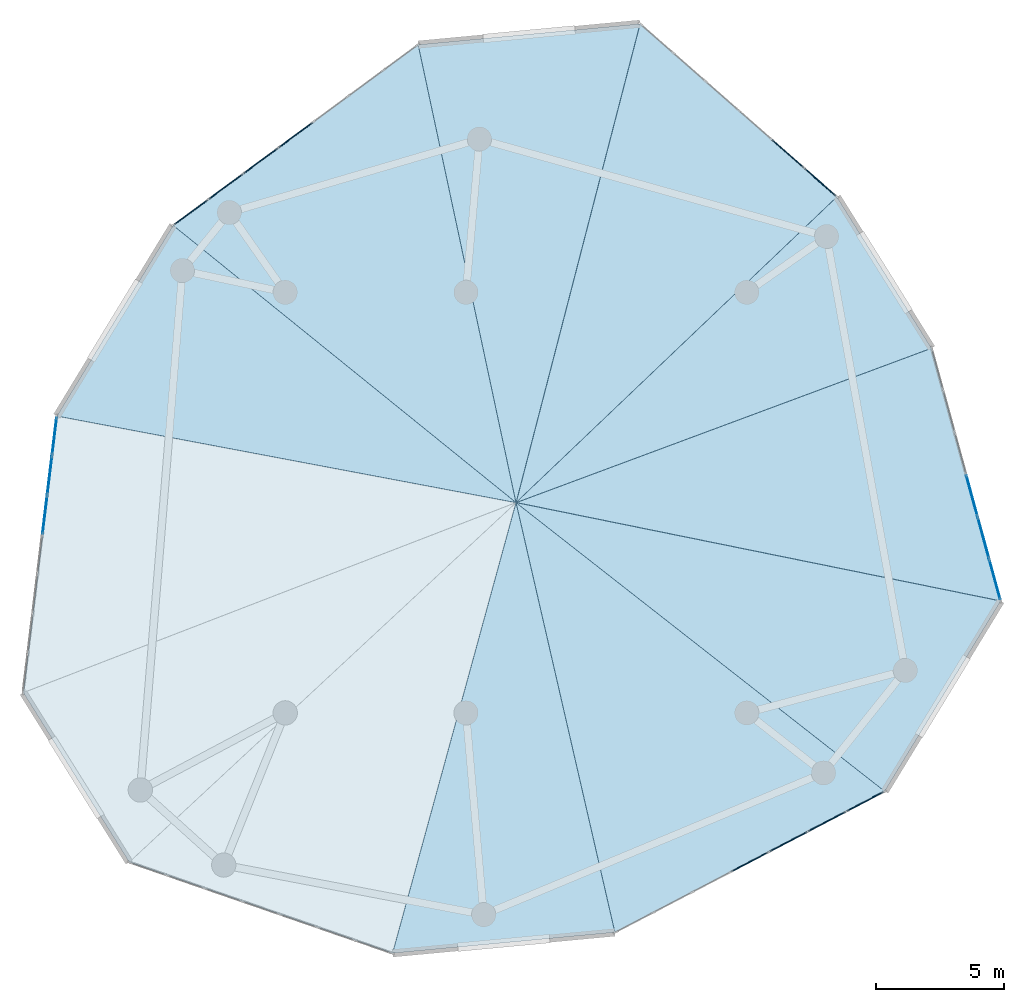
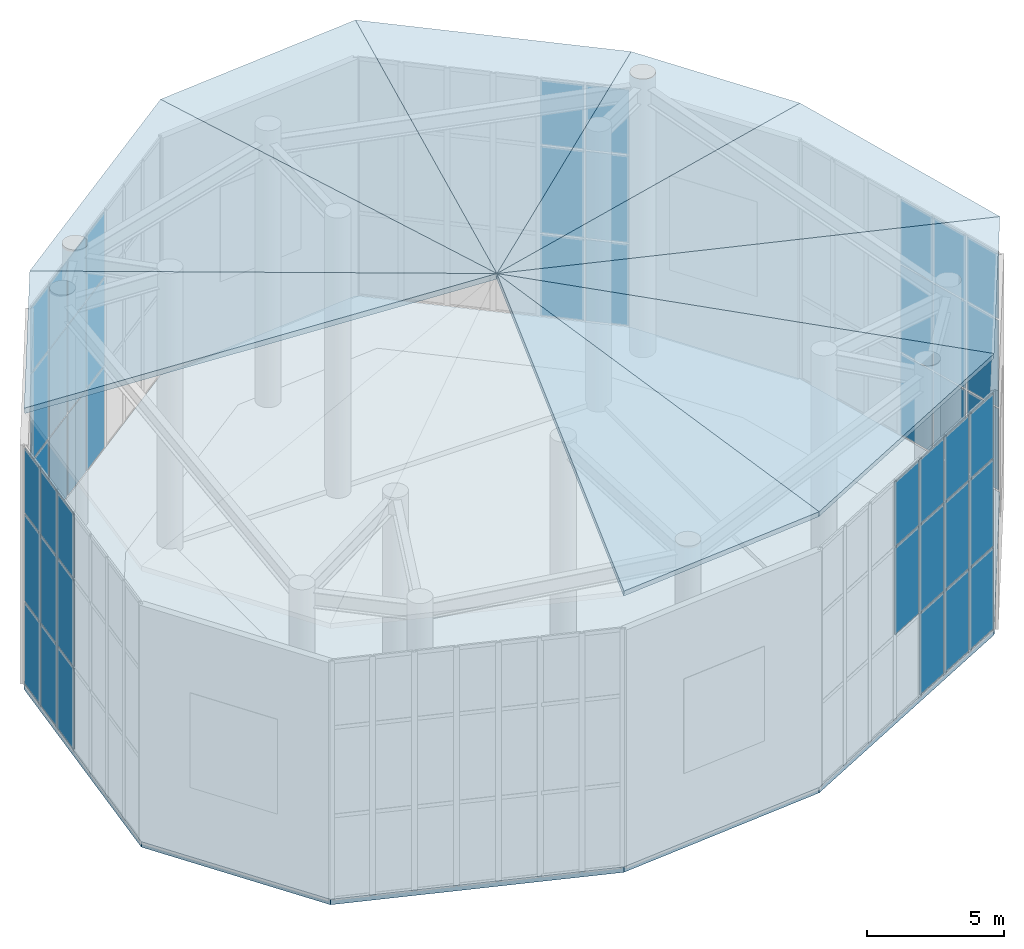
# One storey, part 6 of 8: 47 plates, 10 slabs, 5 elements without a shape of their own.
"""IFC4 building model written with IfcOpenShell, lengths in metres."""

from ifc_helpers import new_model, si_unit, direction, frame, origin, origin_with_axes, origin_2d, place, context, subcontext, project, spatial, polyline, rectangle, outline, extrude, source, transform, mapped, material, layer, layer_set, type_object, element, aggregate, save


model = new_model("IFC4")

# Units and contexts
model_context = context("Model", 3, precision=1e-05, world=origin(), true_north=direction((0.0, 1.0)))
body_context = subcontext(model_context, "Body", "Model", "MODEL_VIEW")
ifc_project = project(units=[si_unit("LENGTHUNIT", "METRE"), si_unit("AREAUNIT", "SQUARE_METRE"), si_unit("VOLUMEUNIT", "CUBIC_METRE"), si_unit("PLANEANGLEUNIT", "RADIAN"), si_unit("MASSUNIT", "GRAM", prefix="KILO")], contexts=[model_context])

# Site, building, storey
site_placement = place(None, origin())
site = spatial("IfcSite", under=ifc_project, at=site_placement, CompositionType="ELEMENT")
building_placement = place(site_placement, origin())
building = spatial("IfcBuilding", under=site, at=building_placement, Name="Karkom Vertical University and Central Library", CompositionType="ELEMENT")
storey_placement = place(building_placement, frame((0.0, 0.0, 290.0)))
storey = spatial("IfcBuildingStorey", under=building, at=storey_placement, Name="R82", CompositionType="ELEMENT", Elevation=290.0)

# Slabs
ifc_material_1 = material(Name="Concrete C45/55", Category="concrete")
ifc_layer_1 = layer(ifc_material_1, 0.239990234375)
ifc_layer_set_1 = layer_set([ifc_layer_1], Name="Concrete C45/55")
slab_type = type_object("IfcSlabType", Name="STR-SLB-CRN-240", PredefinedType="ROOF", material=ifc_layer_set_1)
slab_1_placement = place(storey_placement, frame((0.0, 0.0, -0.239990234375)))
element("IfcSlab", 1, at=slab_1_placement, inside=storey, type_object=slab_type, Name="Roof Level 82 Crown Ring Collar Roof Deck", PredefinedType="ROOF", context=body_context, shape_type="SweptSolid", body=[
    extrude(outline(polyline([(9.28466796875, 19.087158203125), (13.413818359375, 12.47900390625), (23.686279296875, 8.926513671875), (32.35498046875, 9.739501953125), (42.880126953125, 15.24169921875), (47.401123046875, 22.660888671875), (44.7041015625, 32.5234375), (41.017333984375, 38.423583984375), (33.335205078125, 45.171142578125), (24.684814453125, 44.360107421875), (15.12548828125, 37.312255859375), (10.594970703125, 29.876953125), (9.28466796875, 19.087158203125)])), origin(), (0.0, 0.0, 1.0), 0.239990234375),
])
slab_2_placement = place(storey_placement, frame((23.686279296875, 8.926513671875, 12.239990234375), z_axis=(0.009589315329, -0.102248594415, 0.994712656988), x_axis=(0.99563104956, 0.093374585153, 0.0)))
element("IfcSlab", 2, at=slab_2_placement, inside=storey, type_object=slab_type, Name="Roof Level 82 Halo Ring Crown Sloped Cap Facet 03", PredefinedType="ROOF", context=body_context, shape_type="SweptSolid", body=[
    extrude(outline(polyline([(0.0, 0.0), (8.706740489569954, 1.1102230246251565e-16), (6.433606791523668, 17.137843118655464), (0.0, 0.0)])), origin(), (0.0, 0.0, -1.0), 0.239990234375),
])
slab_3_placement = place(storey_placement, frame((32.35498046875, 9.739501953125, 12.239990234375), z_axis=(0.048731491099, -0.093218410293, 0.994452396929), x_axis=(0.886211058158, 0.463281728972, 0.0)))
element("IfcSlab", 3, at=slab_3_placement, inside=storey, type_object=slab_type, Name="Roof Level 82 Halo Ring Crown Sloped Cap Facet 04", PredefinedType="ROOF", context=body_context, shape_type="SweptSolid", body=[
    extrude(outline(polyline([(0.0, 0.0), (11.876568665544887, 0.0), (4.348506193195236, 16.732103796492023), (0.0, 0.0)])), origin(), (0.0, 0.0, -1.0), 0.239990234375),
])
slab_4_placement = place(storey_placement, frame((42.880126953125, 15.24169921875, 12.239990234375), z_axis=(0.082473509415, -0.050256489103, 0.995325276253), x_axis=(0.520364089318, 0.853944503202, 0.0)))
element("IfcSlab", 4, at=slab_4_placement, inside=storey, type_object=slab_type, Name="Roof Level 82 Halo Ring Crown Sloped Cap Facet 05", PredefinedType="ROOF", context=body_context, shape_type="SweptSolid", body=[
    extrude(outline(polyline([(0.0, 0.0), (8.688140066841925, 0.0), (2.131062401297334, 18.22343532613867), (0.0, 0.0)])), origin(), (0.0, 0.0, -1.0), 0.239990234375),
])
slab_5_placement = place(storey_placement, frame((47.401123046875, 22.660888671875, 12.239990234375), z_axis=(0.098081914703, 0.026821568723, 0.994816838146), x_axis=(-0.263775999265, 0.964583963277, 0.0)))
element("IfcSlab", 5, at=slab_5_placement, inside=storey, type_object=slab_type, Name="Roof Level 82 Halo Ring Crown Sloped Cap Facet 06", PredefinedType="ROOF", context=body_context, shape_type="SweptSolid", body=[
    extrude(outline(polyline([(0.0, 0.0), (10.224665973728928, 0.0), (8.688807839272428, 17.30876890278856), (0.0, 0.0)])), origin(), (0.0, 0.0, -1.0), 0.239990234375),
])
slab_6_placement = place(storey_placement, frame((44.7041015625, 32.5234375, 12.239990234375), z_axis=(0.087669667496, 0.054781298832, 0.994642166158), x_axis=(-0.52991377192, 0.84805152811, 0.0)))
element("IfcSlab", 6, at=slab_6_placement, inside=storey, type_object=slab_type, Name="Roof Level 82 Halo Ring Crown Sloped Cap Facet 07", PredefinedType="ROOF", context=body_context, shape_type="SweptSolid", body=[
    extrude(outline(polyline([(0.0, 0.0), (6.957297155662992, 0.0), (3.4785912032078263, 17.02503287457272), (0.0, 0.0)])), origin(), (0.0, 0.0, -1.0), 0.239990234375),
])
slab_7_placement = place(storey_placement, frame((41.017333984375, 38.423583984375, 12.239990234375), z_axis=(0.067103363608, 0.076397512096, 0.994816846831), x_axis=(-0.751329914383, 0.659926783631, 0.0)))
element("IfcSlab", 7, at=slab_7_placement, inside=storey, type_object=slab_type, Name="Roof Level 82 Halo Ring Crown Sloped Cap Facet 08", PredefinedType="ROOF", context=body_context, shape_type="SweptSolid", body=[
    extrude(outline(polyline([(0.0, 0.0), (10.224707893545483, 8.881784197001252e-16), (1.535955042627391, 17.30878336541758), (0.0, 0.0)])), origin(), (0.0, 0.0, -1.0), 0.239990234375),
])
slab_8_placement = place(storey_placement, frame((33.335205078125, 45.171142578125, 12.239990234375), z_axis=(-0.009015461324, 0.096157683814, 0.995325284166), x_axis=(-0.995633573183, -0.093347672446, 0.0)))
element("IfcSlab", 8, at=slab_8_placement, inside=storey, type_object=slab_type, Name="Roof Level 82 Halo Ring Crown Sloped Cap Facet 09", PredefinedType="ROOF", context=body_context, shape_type="SweptSolid", body=[
    extrude(outline(polyline([(0.0, 0.0), (8.688327571504274, 1.1102230246251565e-16), (6.557000210584487, 18.22345071422228), (0.0, 0.0)])), origin(), (0.0, 0.0, -1.0), 0.239990234375),
])
slab_9_placement = place(storey_placement, frame((24.684814453125, 44.360107421875, 12.239990234375), z_axis=(-0.062420346611, 0.084663595384, 0.994452500598), x_axis=(-0.804889434658, -0.593424803977, 0.0)))
element("IfcSlab", 9, at=slab_9_placement, inside=storey, type_object=slab_type, Name="Roof Level 82 Halo Ring Crown Sloped Cap Facet 10", PredefinedType="ROOF", context=body_context, shape_type="SweptSolid", body=[
    extrude(outline(polyline([(0.0, 0.0), (11.876570570132106, 8.881784197001252e-16), (7.52782820789349, 16.732259701712046), (0.0, 0.0)])), origin(), (0.0, 0.0, -1.0), 0.239990234375),
])
slab_10_placement = place(storey_placement, frame((15.12548828125, 37.312255859375, 12.239990234375), z_axis=(-0.087698798302, 0.053437090793, 0.994712721394), x_axis=(-0.520339182014, -0.853959680349, 0.0)))
element("IfcSlab", 10, at=slab_10_placement, inside=storey, type_object=slab_type, Name="Roof Level 82 Halo Ring Crown Sloped Cap Facet 11", PredefinedType="ROOF", context=body_context, shape_type="SweptSolid", body=[
    extrude(outline(polyline([(0.0, 0.0), (8.706854557043203, 0.0), (2.2739480699515653, 17.137947223452088), (0.0, 0.0)])), origin(), (0.0, 0.0, -1.0), 0.239990234375),
])

# Curtain wall, plates
ifc_material_2 = material(Name="Aluminium curtain-wall framing and low-E IGU", Category="aluminium")
ifc_layer_2 = layer(ifc_material_2, 0.199951171875)
ifc_layer_set_2 = layer_set([ifc_layer_2], Name="Aluminium curtain-wall framing and low-E IGU")
curtain_wall_type = type_object("IfcCurtainWallType", Name="ENV-CW-6", PredefinedType="USERDEFINED", material=ifc_layer_set_2)
curtain_wall_1_placement = place(storey_placement, origin())
curtain_wall_1 = element("IfcCurtainWall", 11, at=curtain_wall_1_placement, inside=storey, type_object=curtain_wall_type, Name="Roof Level 82 CW-6 Curtain Wall R82-CW6-12", ObjectType="UNITISED GLAZING", PredefinedType="USERDEFINED")
ifc_material_3 = material(Name="Solar-control low-E double glazing 36mm", Category="glass")
ifc_layer_3 = layer(ifc_material_3, 0.035888671875)
ifc_layer_set_3 = layer_set([ifc_layer_3], Name="Solar-control low-E double glazing 36mm")
plate_type = type_object("IfcPlateType", Name="ENV-PLT-GLZ-36", PredefinedType="CURTAIN_PANEL", material=ifc_layer_set_3)
shared_shape_1 = source(origin_with_axes(), body_context, "Body", "SweptSolid", [
    extrude(rectangle(XDim=1.440185546875, YDim=0.035888671875, at=origin_2d()), origin(), (0.0, 0.0, 1.0), 3.597412109375),
])
plate_1_placement = place(storey_placement, frame((10.4990234375, 29.087646484375, 0.0751953125), z_axis=(0.0, 0.0, 1.0), x_axis=(-0.12055309879, -0.992706880389, 0.0)))
plate_1 = element("IfcPlate", 12, at=plate_1_placement, type_object=plate_type, Name="CW-6 panel 1.1", PredefinedType="CURTAIN_PANEL", context=body_context, shape_type="MappedRepresentation", body=[
    mapped(shared_shape_1, transform((0.0, 0.0, 0.0), scale=1.0)),
])
shared_shape_2 = source(origin_with_axes(), body_context, "Body", "SweptSolid", [
    extrude(rectangle(XDim=1.440185546875, YDim=0.035888671875, at=origin_2d()), origin(), (0.0, 0.0, 1.0), 3.846923828125),
])
plate_2_placement = place(storey_placement, frame((10.4990234375, 29.087646484375, 3.74755859375), z_axis=(0.0, 0.0, 1.0), x_axis=(-0.12055309879, -0.992706880389, 0.0)))
plate_2 = element("IfcPlate", 13, at=plate_2_placement, type_object=plate_type, Name="CW-6 panel 1.2", PredefinedType="CURTAIN_PANEL", context=body_context, shape_type="MappedRepresentation", body=[
    mapped(shared_shape_2, transform((0.0, 0.0, 0.0), scale=1.0)),
])
shared_shape_3 = source(origin_with_axes(), body_context, "Body", "SweptSolid", [
    extrude(rectangle(XDim=1.440185546875, YDim=0.035888671875, at=origin_2d()), origin(), (0.0, 0.0, 1.0), 2.85546875),
])
plate_3_placement = place(storey_placement, frame((10.4990234375, 29.087646484375, 7.66943359375), z_axis=(0.0, 0.0, 1.0), x_axis=(-0.12055309879, -0.992706880389, 0.0)))
plate_3 = element("IfcPlate", 14, at=plate_3_placement, type_object=plate_type, Name="CW-6 panel 1.3", PredefinedType="CURTAIN_PANEL", context=body_context, shape_type="MappedRepresentation", body=[
    mapped(shared_shape_3, transform((0.0, 0.0, 0.0), scale=1.0)),
])
shared_shape_4 = source(origin_with_axes(), body_context, "Body", "SweptSolid", [
    extrude(rectangle(XDim=1.477783203125, YDim=0.035888671875, at=origin_2d()), origin(), (0.0, 0.0, 1.0), 3.597412109375),
])
plate_4_placement = place(storey_placement, frame((10.314208984375, 27.56494140625, 0.0751953125), z_axis=(0.0, 0.0, 1.0), x_axis=(-0.12055309879, -0.992706880389, 0.0)))
plate_4 = element("IfcPlate", 15, at=plate_4_placement, type_object=plate_type, Name="CW-6 panel 2.1", PredefinedType="CURTAIN_PANEL", context=body_context, shape_type="MappedRepresentation", body=[
    mapped(shared_shape_4, transform((0.0, 0.0, 0.0), scale=1.0)),
])
plate_5_placement = place(storey_placement, frame((10.126953125, 26.0234375, 0.0751953125), z_axis=(0.0, 0.0, 1.0), x_axis=(-0.12055309879, -0.992706880389, 0.0)))
plate_5 = element("IfcPlate", 16, at=plate_5_placement, type_object=plate_type, Name="CW-6 panel 3.1", PredefinedType="CURTAIN_PANEL", context=body_context, shape_type="MappedRepresentation", body=[
    mapped(shared_shape_4, transform((0.0, 0.0, 0.0), scale=1.0)),
])
shared_shape_5 = source(origin_with_axes(), body_context, "Body", "SweptSolid", [
    extrude(rectangle(XDim=1.477783203125, YDim=0.035888671875, at=origin_2d()), origin(), (0.0, 0.0, 1.0), 3.846923828125),
])
plate_6_placement = place(storey_placement, frame((10.314208984375, 27.56494140625, 3.74755859375), z_axis=(0.0, 0.0, 1.0), x_axis=(-0.12055309879, -0.992706880389, 0.0)))
plate_6 = element("IfcPlate", 17, at=plate_6_placement, type_object=plate_type, Name="CW-6 panel 2.2", PredefinedType="CURTAIN_PANEL", context=body_context, shape_type="MappedRepresentation", body=[
    mapped(shared_shape_5, transform((0.0, 0.0, 0.0), scale=1.0)),
])
plate_7_placement = place(storey_placement, frame((10.126953125, 26.0234375, 3.74755859375), z_axis=(0.0, 0.0, 1.0), x_axis=(-0.12055309879, -0.992706880389, 0.0)))
plate_7 = element("IfcPlate", 18, at=plate_7_placement, type_object=plate_type, Name="CW-6 panel 3.2", PredefinedType="CURTAIN_PANEL", context=body_context, shape_type="MappedRepresentation", body=[
    mapped(shared_shape_5, transform((0.0, 0.0, 0.0), scale=1.0)),
])
shared_shape_6 = source(origin_with_axes(), body_context, "Body", "SweptSolid", [
    extrude(rectangle(XDim=1.477783203125, YDim=0.035888671875, at=origin_2d()), origin(), (0.0, 0.0, 1.0), 2.85546875),
])
plate_8_placement = place(storey_placement, frame((10.314208984375, 27.56494140625, 7.66943359375), z_axis=(0.0, 0.0, 1.0), x_axis=(-0.12055309879, -0.992706880389, 0.0)))
plate_8 = element("IfcPlate", 19, at=plate_8_placement, type_object=plate_type, Name="CW-6 panel 2.3", PredefinedType="CURTAIN_PANEL", context=body_context, shape_type="MappedRepresentation", body=[
    mapped(shared_shape_6, transform((0.0, 0.0, 0.0), scale=1.0)),
])
plate_9_placement = place(storey_placement, frame((10.126953125, 26.0234375, 7.66943359375), z_axis=(0.0, 0.0, 1.0), x_axis=(-0.12055309879, -0.992706880389, 0.0)))
plate_9 = element("IfcPlate", 20, at=plate_9_placement, type_object=plate_type, Name="CW-6 panel 3.3", PredefinedType="CURTAIN_PANEL", context=body_context, shape_type="MappedRepresentation", body=[
    mapped(shared_shape_6, transform((0.0, 0.0, 0.0), scale=1.0)),
])
aggregate(curtain_wall_1, [plate_1, plate_2, plate_3, plate_4, plate_6, plate_8, plate_5, plate_7, plate_9])

# Curtain wall, plate
curtain_wall_2_placement = place(storey_placement, origin())
curtain_wall_2 = element("IfcCurtainWall", 21, at=curtain_wall_2_placement, inside=storey, type_object=curtain_wall_type, Name="Roof Level 82 CW-6 Curtain Wall R82-CW6-04", ObjectType="UNITISED GLAZING", PredefinedType="USERDEFINED")
shared_shape_7 = source(origin_with_axes(), body_context, "Body", "SweptSolid", [
    extrude(rectangle(XDim=1.584228515625, YDim=0.035888671875, at=origin_2d()), origin(), (0.0, 0.0, 1.0), 3.597412109375),
])
plate_10_placement = place(storey_placement, frame((42.11181640625, 14.83984375, 0.0751953125), z_axis=(0.0, 0.0, 1.0), x_axis=(0.886210123572, 0.463283516735, 0.0)))
plate_10 = element("IfcPlate", 22, at=plate_10_placement, type_object=plate_type, Name="CW-6 panel 7.1", PredefinedType="CURTAIN_PANEL", context=body_context, shape_type="MappedRepresentation", body=[
    mapped(shared_shape_7, transform((0.0, 0.0, 0.0), scale=1.0)),
])

curtain_wall_3_placement = place(storey_placement, origin())
curtain_wall_3 = element("IfcCurtainWall", 23, at=curtain_wall_3_placement, inside=storey, type_object=curtain_wall_type, Name="Roof Level 82 CW-6 Curtain Wall R82-CW6-10", ObjectType="UNITISED GLAZING", PredefinedType="USERDEFINED")
plate_11_placement = place(storey_placement, frame((15.823486328125, 37.826904296875, 0.0751953125), z_axis=(0.0, 0.0, 1.0), x_axis=(-0.804886710609, -0.593428498713, 0.0)))
plate_11 = element("IfcPlate", 24, at=plate_11_placement, type_object=plate_type, Name="CW-6 panel 7.1", PredefinedType="CURTAIN_PANEL", context=body_context, shape_type="MappedRepresentation", body=[
    mapped(shared_shape_7, transform((0.0, 0.0, 0.0), scale=1.0)),
])

# Plate
shared_shape_8 = source(origin_with_axes(), body_context, "Body", "SweptSolid", [
    extrude(rectangle(XDim=1.584228515625, YDim=0.035888671875, at=origin_2d()), origin(), (0.0, 0.0, 1.0), 3.846923828125),
])
plate_12_placement = place(storey_placement, frame((42.11181640625, 14.83984375, 3.74755859375), z_axis=(0.0, 0.0, 1.0), x_axis=(0.886210123572, 0.463283516735, 0.0)))
plate_12 = element("IfcPlate", 25, at=plate_12_placement, type_object=plate_type, Name="CW-6 panel 7.2", PredefinedType="CURTAIN_PANEL", context=body_context, shape_type="MappedRepresentation", body=[
    mapped(shared_shape_8, transform((0.0, 0.0, 0.0), scale=1.0)),
])

plate_13_placement = place(storey_placement, frame((15.823486328125, 37.826904296875, 3.74755859375), z_axis=(0.0, 0.0, 1.0), x_axis=(-0.804886710609, -0.593428498713, 0.0)))
plate_13 = element("IfcPlate", 26, at=plate_13_placement, type_object=plate_type, Name="CW-6 panel 7.2", PredefinedType="CURTAIN_PANEL", context=body_context, shape_type="MappedRepresentation", body=[
    mapped(shared_shape_8, transform((0.0, 0.0, 0.0), scale=1.0)),
])

shared_shape_9 = source(origin_with_axes(), body_context, "Body", "SweptSolid", [
    extrude(rectangle(XDim=1.584228515625, YDim=0.035888671875, at=origin_2d()), origin(), (0.0, 0.0, 1.0), 2.85546875),
])
plate_14_placement = place(storey_placement, frame((42.11181640625, 14.83984375, 7.66943359375), z_axis=(0.0, 0.0, 1.0), x_axis=(0.886210123572, 0.463283516735, 0.0)))
plate_14 = element("IfcPlate", 27, at=plate_14_placement, type_object=plate_type, Name="CW-6 panel 7.3", PredefinedType="CURTAIN_PANEL", context=body_context, shape_type="MappedRepresentation", body=[
    mapped(shared_shape_9, transform((0.0, 0.0, 0.0), scale=1.0)),
])

plate_15_placement = place(storey_placement, frame((15.823486328125, 37.826904296875, 7.66943359375), z_axis=(0.0, 0.0, 1.0), x_axis=(-0.804886710609, -0.593428498713, 0.0)))
plate_15 = element("IfcPlate", 28, at=plate_15_placement, type_object=plate_type, Name="CW-6 panel 7.3", PredefinedType="CURTAIN_PANEL", context=body_context, shape_type="MappedRepresentation", body=[
    mapped(shared_shape_9, transform((0.0, 0.0, 0.0), scale=1.0)),
])

shared_shape_10 = source(origin_with_axes(), body_context, "Body", "SweptSolid", [
    extrude(rectangle(XDim=1.62158203125, YDim=0.035888671875, at=origin_2d()), origin(), (0.0, 0.0, 1.0), 3.597412109375),
])
plate_16_placement = place(storey_placement, frame((39.121337890625, 13.276611328125, 0.0751953125), z_axis=(0.0, 0.0, 1.0), x_axis=(0.886210123572, 0.463283516735, 0.0)))
plate_16 = element("IfcPlate", 29, at=plate_16_placement, type_object=plate_type, Name="CW-6 panel 5.1", PredefinedType="CURTAIN_PANEL", context=body_context, shape_type="MappedRepresentation", body=[
    mapped(shared_shape_10, transform((0.0, 0.0, 0.0), scale=1.0)),
])

plate_17_placement = place(storey_placement, frame((40.624755859375, 14.0625, 0.0751953125), z_axis=(0.0, 0.0, 1.0), x_axis=(0.886210123572, 0.463283516735, 0.0)))
plate_17 = element("IfcPlate", 30, at=plate_17_placement, type_object=plate_type, Name="CW-6 panel 6.1", PredefinedType="CURTAIN_PANEL", context=body_context, shape_type="MappedRepresentation", body=[
    mapped(shared_shape_10, transform((0.0, 0.0, 0.0), scale=1.0)),
])

plate_18_placement = place(storey_placement, frame((19.9052734375, 40.836181640625, 0.0751953125), z_axis=(0.0, 0.0, 1.0), x_axis=(-0.804886710609, -0.593428498713, 0.0)))
plate_18 = element("IfcPlate", 31, at=plate_18_placement, type_object=plate_type, Name="CW-6 panel 4.1", PredefinedType="CURTAIN_PANEL", context=body_context, shape_type="MappedRepresentation", body=[
    mapped(shared_shape_10, transform((0.0, 0.0, 0.0), scale=1.0)),
])

plate_19_placement = place(storey_placement, frame((18.53955078125, 39.829345703125, 0.0751953125), z_axis=(0.0, 0.0, 1.0), x_axis=(-0.804886710609, -0.593428498713, 0.0)))
plate_19 = element("IfcPlate", 32, at=plate_19_placement, type_object=plate_type, Name="CW-6 panel 5.1", PredefinedType="CURTAIN_PANEL", context=body_context, shape_type="MappedRepresentation", body=[
    mapped(shared_shape_10, transform((0.0, 0.0, 0.0), scale=1.0)),
])

plate_20_placement = place(storey_placement, frame((17.174072265625, 38.822509765625, 0.0751953125), z_axis=(0.0, 0.0, 1.0), x_axis=(-0.804886710609, -0.593428498713, 0.0)))
plate_20 = element("IfcPlate", 33, at=plate_20_placement, type_object=plate_type, Name="CW-6 panel 6.1", PredefinedType="CURTAIN_PANEL", context=body_context, shape_type="MappedRepresentation", body=[
    mapped(shared_shape_10, transform((0.0, 0.0, 0.0), scale=1.0)),
])

shared_shape_11 = source(origin_with_axes(), body_context, "Body", "SweptSolid", [
    extrude(rectangle(XDim=1.62158203125, YDim=0.035888671875, at=origin_2d()), origin(), (0.0, 0.0, 1.0), 3.846923828125),
])
plate_21_placement = place(storey_placement, frame((37.61767578125, 12.490478515625, 3.74755859375), z_axis=(0.0, 0.0, 1.0), x_axis=(0.886210123572, 0.463283516735, 0.0)))
plate_21 = element("IfcPlate", 34, at=plate_21_placement, type_object=plate_type, Name="CW-6 panel 4.2", PredefinedType="CURTAIN_PANEL", context=body_context, shape_type="MappedRepresentation", body=[
    mapped(shared_shape_11, transform((0.0, 0.0, 0.0), scale=1.0)),
])

plate_22_placement = place(storey_placement, frame((39.121337890625, 13.276611328125, 3.74755859375), z_axis=(0.0, 0.0, 1.0), x_axis=(0.886210123572, 0.463283516735, 0.0)))
plate_22 = element("IfcPlate", 35, at=plate_22_placement, type_object=plate_type, Name="CW-6 panel 5.2", PredefinedType="CURTAIN_PANEL", context=body_context, shape_type="MappedRepresentation", body=[
    mapped(shared_shape_11, transform((0.0, 0.0, 0.0), scale=1.0)),
])

plate_23_placement = place(storey_placement, frame((40.624755859375, 14.0625, 3.74755859375), z_axis=(0.0, 0.0, 1.0), x_axis=(0.886210123572, 0.463283516735, 0.0)))
plate_23 = element("IfcPlate", 36, at=plate_23_placement, type_object=plate_type, Name="CW-6 panel 6.2", PredefinedType="CURTAIN_PANEL", context=body_context, shape_type="MappedRepresentation", body=[
    mapped(shared_shape_11, transform((0.0, 0.0, 0.0), scale=1.0)),
])

plate_24_placement = place(storey_placement, frame((19.9052734375, 40.836181640625, 3.74755859375), z_axis=(0.0, 0.0, 1.0), x_axis=(-0.804886710609, -0.593428498713, 0.0)))
plate_24 = element("IfcPlate", 37, at=plate_24_placement, type_object=plate_type, Name="CW-6 panel 4.2", PredefinedType="CURTAIN_PANEL", context=body_context, shape_type="MappedRepresentation", body=[
    mapped(shared_shape_11, transform((0.0, 0.0, 0.0), scale=1.0)),
])

plate_25_placement = place(storey_placement, frame((18.53955078125, 39.829345703125, 3.74755859375), z_axis=(0.0, 0.0, 1.0), x_axis=(-0.804886710609, -0.593428498713, 0.0)))
plate_25 = element("IfcPlate", 38, at=plate_25_placement, type_object=plate_type, Name="CW-6 panel 5.2", PredefinedType="CURTAIN_PANEL", context=body_context, shape_type="MappedRepresentation", body=[
    mapped(shared_shape_11, transform((0.0, 0.0, 0.0), scale=1.0)),
])

plate_26_placement = place(storey_placement, frame((17.174072265625, 38.822509765625, 3.74755859375), z_axis=(0.0, 0.0, 1.0), x_axis=(-0.804886710609, -0.593428498713, 0.0)))
plate_26 = element("IfcPlate", 39, at=plate_26_placement, type_object=plate_type, Name="CW-6 panel 6.2", PredefinedType="CURTAIN_PANEL", context=body_context, shape_type="MappedRepresentation", body=[
    mapped(shared_shape_11, transform((0.0, 0.0, 0.0), scale=1.0)),
])

shared_shape_12 = source(origin_with_axes(), body_context, "Body", "SweptSolid", [
    extrude(rectangle(XDim=1.62158203125, YDim=0.035888671875, at=origin_2d()), origin(), (0.0, 0.0, 1.0), 2.85546875),
])
plate_27_placement = place(storey_placement, frame((37.61767578125, 12.490478515625, 7.66943359375), z_axis=(0.0, 0.0, 1.0), x_axis=(0.886210123572, 0.463283516735, 0.0)))
plate_27 = element("IfcPlate", 40, at=plate_27_placement, type_object=plate_type, Name="CW-6 panel 4.3", PredefinedType="CURTAIN_PANEL", context=body_context, shape_type="MappedRepresentation", body=[
    mapped(shared_shape_12, transform((0.0, 0.0, 0.0), scale=1.0)),
])

plate_28_placement = place(storey_placement, frame((39.121337890625, 13.276611328125, 7.66943359375), z_axis=(0.0, 0.0, 1.0), x_axis=(0.886210123572, 0.463283516735, 0.0)))
plate_28 = element("IfcPlate", 41, at=plate_28_placement, type_object=plate_type, Name="CW-6 panel 5.3", PredefinedType="CURTAIN_PANEL", context=body_context, shape_type="MappedRepresentation", body=[
    mapped(shared_shape_12, transform((0.0, 0.0, 0.0), scale=1.0)),
])

plate_29_placement = place(storey_placement, frame((40.624755859375, 14.0625, 7.66943359375), z_axis=(0.0, 0.0, 1.0), x_axis=(0.886210123572, 0.463283516735, 0.0)))
plate_29 = element("IfcPlate", 42, at=plate_29_placement, type_object=plate_type, Name="CW-6 panel 6.3", PredefinedType="CURTAIN_PANEL", context=body_context, shape_type="MappedRepresentation", body=[
    mapped(shared_shape_12, transform((0.0, 0.0, 0.0), scale=1.0)),
])

aggregate(curtain_wall_2, [plate_21, plate_27, plate_16, plate_22, plate_28, plate_17, plate_23, plate_29, plate_10, plate_12, plate_14])

plate_30_placement = place(storey_placement, frame((19.9052734375, 40.836181640625, 7.66943359375), z_axis=(0.0, 0.0, 1.0), x_axis=(-0.804886710609, -0.593428498713, 0.0)))
plate_30 = element("IfcPlate", 43, at=plate_30_placement, type_object=plate_type, Name="CW-6 panel 4.3", PredefinedType="CURTAIN_PANEL", context=body_context, shape_type="MappedRepresentation", body=[
    mapped(shared_shape_12, transform((0.0, 0.0, 0.0), scale=1.0)),
])

plate_31_placement = place(storey_placement, frame((18.53955078125, 39.829345703125, 7.66943359375), z_axis=(0.0, 0.0, 1.0), x_axis=(-0.804886710609, -0.593428498713, 0.0)))
plate_31 = element("IfcPlate", 44, at=plate_31_placement, type_object=plate_type, Name="CW-6 panel 5.3", PredefinedType="CURTAIN_PANEL", context=body_context, shape_type="MappedRepresentation", body=[
    mapped(shared_shape_12, transform((0.0, 0.0, 0.0), scale=1.0)),
])

plate_32_placement = place(storey_placement, frame((17.174072265625, 38.822509765625, 7.66943359375), z_axis=(0.0, 0.0, 1.0), x_axis=(-0.804886710609, -0.593428498713, 0.0)))
plate_32 = element("IfcPlate", 45, at=plate_32_placement, type_object=plate_type, Name="CW-6 panel 6.3", PredefinedType="CURTAIN_PANEL", context=body_context, shape_type="MappedRepresentation", body=[
    mapped(shared_shape_12, transform((0.0, 0.0, 0.0), scale=1.0)),
])

aggregate(curtain_wall_3, [plate_18, plate_24, plate_30, plate_19, plate_25, plate_31, plate_20, plate_26, plate_32, plate_11, plate_13, plate_15])

# Curtain wall, plate
curtain_wall_4_placement = place(storey_placement, origin())
curtain_wall_4 = element("IfcCurtainWall", 46, at=curtain_wall_4_placement, inside=storey, type_object=curtain_wall_type, Name="Roof Level 82 CW-6 Curtain Wall R82-CW6-06", ObjectType="UNITISED GLAZING", PredefinedType="USERDEFINED")
shared_shape_13 = source(origin_with_axes(), body_context, "Body", "SweptSolid", [
    extrude(rectangle(XDim=1.591552734375, YDim=0.035888671875, at=origin_2d()), origin(), (0.0, 0.0, 1.0), 3.597412109375),
])
plate_33_placement = place(storey_placement, frame((47.17138671875, 23.5009765625, 0.0751953125), z_axis=(0.0, 0.0, 1.0), x_axis=(-0.263790970238, 0.964579869177, 0.0)))
plate_33 = element("IfcPlate", 47, at=plate_33_placement, type_object=plate_type, Name="CW-6 panel 1.1", PredefinedType="CURTAIN_PANEL", context=body_context, shape_type="MappedRepresentation", body=[
    mapped(shared_shape_13, transform((0.0, 0.0, 0.0), scale=1.0)),
])

curtain_wall_5_placement = place(storey_placement, origin())
curtain_wall_5 = element("IfcCurtainWall", 48, at=curtain_wall_5_placement, inside=storey, type_object=curtain_wall_type, Name="Roof Level 82 CW-6 Curtain Wall R82-CW6-08", ObjectType="UNITISED GLAZING", PredefinedType="USERDEFINED")
plate_34_placement = place(storey_placement, frame((40.363037109375, 38.998291015625, 0.0751953125), z_axis=(0.0, 0.0, 1.0), x_axis=(-0.75132182602, 0.659935992158, 0.0)))
plate_34 = element("IfcPlate", 49, at=plate_34_placement, type_object=plate_type, Name="CW-6 panel 1.1", PredefinedType="CURTAIN_PANEL", context=body_context, shape_type="MappedRepresentation", body=[
    mapped(shared_shape_13, transform((0.0, 0.0, 0.0), scale=1.0)),
])

# Plate
shared_shape_14 = source(origin_with_axes(), body_context, "Body", "SweptSolid", [
    extrude(rectangle(XDim=1.591552734375, YDim=0.035888671875, at=origin_2d()), origin(), (0.0, 0.0, 1.0), 3.846923828125),
])
plate_35_placement = place(storey_placement, frame((47.17138671875, 23.5009765625, 3.74755859375), z_axis=(0.0, 0.0, 1.0), x_axis=(-0.263790970238, 0.964579869177, 0.0)))
plate_35 = element("IfcPlate", 50, at=plate_35_placement, type_object=plate_type, Name="CW-6 panel 1.2", PredefinedType="CURTAIN_PANEL", context=body_context, shape_type="MappedRepresentation", body=[
    mapped(shared_shape_14, transform((0.0, 0.0, 0.0), scale=1.0)),
])

plate_36_placement = place(storey_placement, frame((40.363037109375, 38.998291015625, 3.74755859375), z_axis=(0.0, 0.0, 1.0), x_axis=(-0.75132182602, 0.659935992158, 0.0)))
plate_36 = element("IfcPlate", 51, at=plate_36_placement, type_object=plate_type, Name="CW-6 panel 1.2", PredefinedType="CURTAIN_PANEL", context=body_context, shape_type="MappedRepresentation", body=[
    mapped(shared_shape_14, transform((0.0, 0.0, 0.0), scale=1.0)),
])

shared_shape_15 = source(origin_with_axes(), body_context, "Body", "SweptSolid", [
    extrude(rectangle(XDim=1.591552734375, YDim=0.035888671875, at=origin_2d()), origin(), (0.0, 0.0, 1.0), 2.85546875),
])
plate_37_placement = place(storey_placement, frame((47.17138671875, 23.5009765625, 7.66943359375), z_axis=(0.0, 0.0, 1.0), x_axis=(-0.263790970238, 0.964579869177, 0.0)))
plate_37 = element("IfcPlate", 52, at=plate_37_placement, type_object=plate_type, Name="CW-6 panel 1.3", PredefinedType="CURTAIN_PANEL", context=body_context, shape_type="MappedRepresentation", body=[
    mapped(shared_shape_15, transform((0.0, 0.0, 0.0), scale=1.0)),
])

plate_38_placement = place(storey_placement, frame((40.363037109375, 38.998291015625, 7.66943359375), z_axis=(0.0, 0.0, 1.0), x_axis=(-0.75132182602, 0.659935992158, 0.0)))
plate_38 = element("IfcPlate", 53, at=plate_38_placement, type_object=plate_type, Name="CW-6 panel 1.3", PredefinedType="CURTAIN_PANEL", context=body_context, shape_type="MappedRepresentation", body=[
    mapped(shared_shape_15, transform((0.0, 0.0, 0.0), scale=1.0)),
])

shared_shape_16 = source(origin_with_axes(), body_context, "Body", "SweptSolid", [
    extrude(rectangle(XDim=1.629150390625, YDim=0.035888671875, at=origin_2d()), origin(), (0.0, 0.0, 1.0), 3.597412109375),
])
plate_39_placement = place(storey_placement, frame((46.726806640625, 25.12646484375, 0.0751953125), z_axis=(0.0, 0.0, 1.0), x_axis=(-0.263790970238, 0.964579869177, 0.0)))
plate_39 = element("IfcPlate", 54, at=plate_39_placement, type_object=plate_type, Name="CW-6 panel 2.1", PredefinedType="CURTAIN_PANEL", context=body_context, shape_type="MappedRepresentation", body=[
    mapped(shared_shape_16, transform((0.0, 0.0, 0.0), scale=1.0)),
])

plate_40_placement = place(storey_placement, frame((46.27734375, 26.770263671875, 0.0751953125), z_axis=(0.0, 0.0, 1.0), x_axis=(-0.263790970238, 0.964579869177, 0.0)))
plate_40 = element("IfcPlate", 55, at=plate_40_placement, type_object=plate_type, Name="CW-6 panel 3.1", PredefinedType="CURTAIN_PANEL", context=body_context, shape_type="MappedRepresentation", body=[
    mapped(shared_shape_16, transform((0.0, 0.0, 0.0), scale=1.0)),
])

plate_41_placement = place(storey_placement, frame((39.0966796875, 40.1103515625, 0.0751953125), z_axis=(0.0, 0.0, 1.0), x_axis=(-0.75132182602, 0.659935992158, 0.0)))
plate_41 = element("IfcPlate", 56, at=plate_41_placement, type_object=plate_type, Name="CW-6 panel 2.1", PredefinedType="CURTAIN_PANEL", context=body_context, shape_type="MappedRepresentation", body=[
    mapped(shared_shape_16, transform((0.0, 0.0, 0.0), scale=1.0)),
])

shared_shape_17 = source(origin_with_axes(), body_context, "Body", "SweptSolid", [
    extrude(rectangle(XDim=1.629150390625, YDim=0.035888671875, at=origin_2d()), origin(), (0.0, 0.0, 1.0), 3.846923828125),
])
plate_42_placement = place(storey_placement, frame((46.726806640625, 25.12646484375, 3.74755859375), z_axis=(0.0, 0.0, 1.0), x_axis=(-0.263790970238, 0.964579869177, 0.0)))
plate_42 = element("IfcPlate", 57, at=plate_42_placement, type_object=plate_type, Name="CW-6 panel 2.2", PredefinedType="CURTAIN_PANEL", context=body_context, shape_type="MappedRepresentation", body=[
    mapped(shared_shape_17, transform((0.0, 0.0, 0.0), scale=1.0)),
])

plate_43_placement = place(storey_placement, frame((46.27734375, 26.770263671875, 3.74755859375), z_axis=(0.0, 0.0, 1.0), x_axis=(-0.263790970238, 0.964579869177, 0.0)))
plate_43 = element("IfcPlate", 58, at=plate_43_placement, type_object=plate_type, Name="CW-6 panel 3.2", PredefinedType="CURTAIN_PANEL", context=body_context, shape_type="MappedRepresentation", body=[
    mapped(shared_shape_17, transform((0.0, 0.0, 0.0), scale=1.0)),
])

plate_44_placement = place(storey_placement, frame((39.0966796875, 40.1103515625, 3.74755859375), z_axis=(0.0, 0.0, 1.0), x_axis=(-0.75132182602, 0.659935992158, 0.0)))
plate_44 = element("IfcPlate", 59, at=plate_44_placement, type_object=plate_type, Name="CW-6 panel 2.2", PredefinedType="CURTAIN_PANEL", context=body_context, shape_type="MappedRepresentation", body=[
    mapped(shared_shape_17, transform((0.0, 0.0, 0.0), scale=1.0)),
])

shared_shape_18 = source(origin_with_axes(), body_context, "Body", "SweptSolid", [
    extrude(rectangle(XDim=1.629150390625, YDim=0.035888671875, at=origin_2d()), origin(), (0.0, 0.0, 1.0), 2.85546875),
])
plate_45_placement = place(storey_placement, frame((46.726806640625, 25.12646484375, 7.66943359375), z_axis=(0.0, 0.0, 1.0), x_axis=(-0.263790970238, 0.964579869177, 0.0)))
plate_45 = element("IfcPlate", 60, at=plate_45_placement, type_object=plate_type, Name="CW-6 panel 2.3", PredefinedType="CURTAIN_PANEL", context=body_context, shape_type="MappedRepresentation", body=[
    mapped(shared_shape_18, transform((0.0, 0.0, 0.0), scale=1.0)),
])

plate_46_placement = place(storey_placement, frame((46.27734375, 26.770263671875, 7.66943359375), z_axis=(0.0, 0.0, 1.0), x_axis=(-0.263790970238, 0.964579869177, 0.0)))
plate_46 = element("IfcPlate", 61, at=plate_46_placement, type_object=plate_type, Name="CW-6 panel 3.3", PredefinedType="CURTAIN_PANEL", context=body_context, shape_type="MappedRepresentation", body=[
    mapped(shared_shape_18, transform((0.0, 0.0, 0.0), scale=1.0)),
])

aggregate(curtain_wall_4, [plate_33, plate_35, plate_37, plate_39, plate_42, plate_45, plate_40, plate_43, plate_46])

plate_47_placement = place(storey_placement, frame((39.0966796875, 40.1103515625, 7.66943359375), z_axis=(0.0, 0.0, 1.0), x_axis=(-0.75132182602, 0.659935992158, 0.0)))
plate_47 = element("IfcPlate", 62, at=plate_47_placement, type_object=plate_type, Name="CW-6 panel 2.3", PredefinedType="CURTAIN_PANEL", context=body_context, shape_type="MappedRepresentation", body=[
    mapped(shared_shape_18, transform((0.0, 0.0, 0.0), scale=1.0)),
])

aggregate(curtain_wall_5, [plate_34, plate_36, plate_38, plate_41, plate_44, plate_47])

save(model, "model.ifc")
